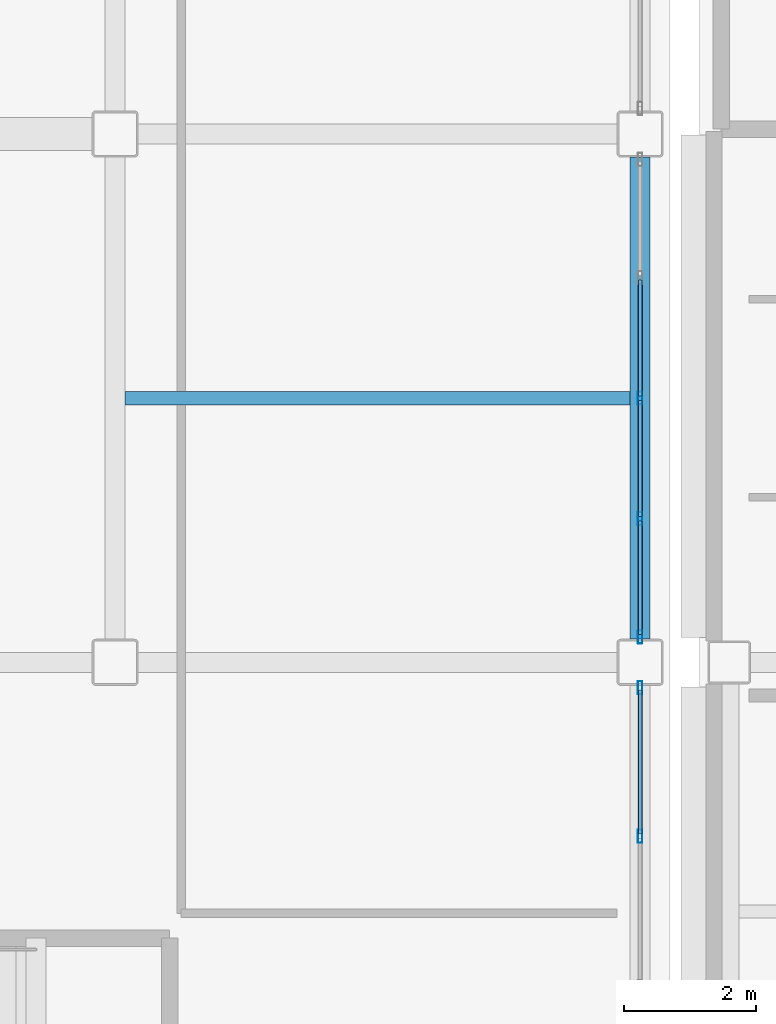
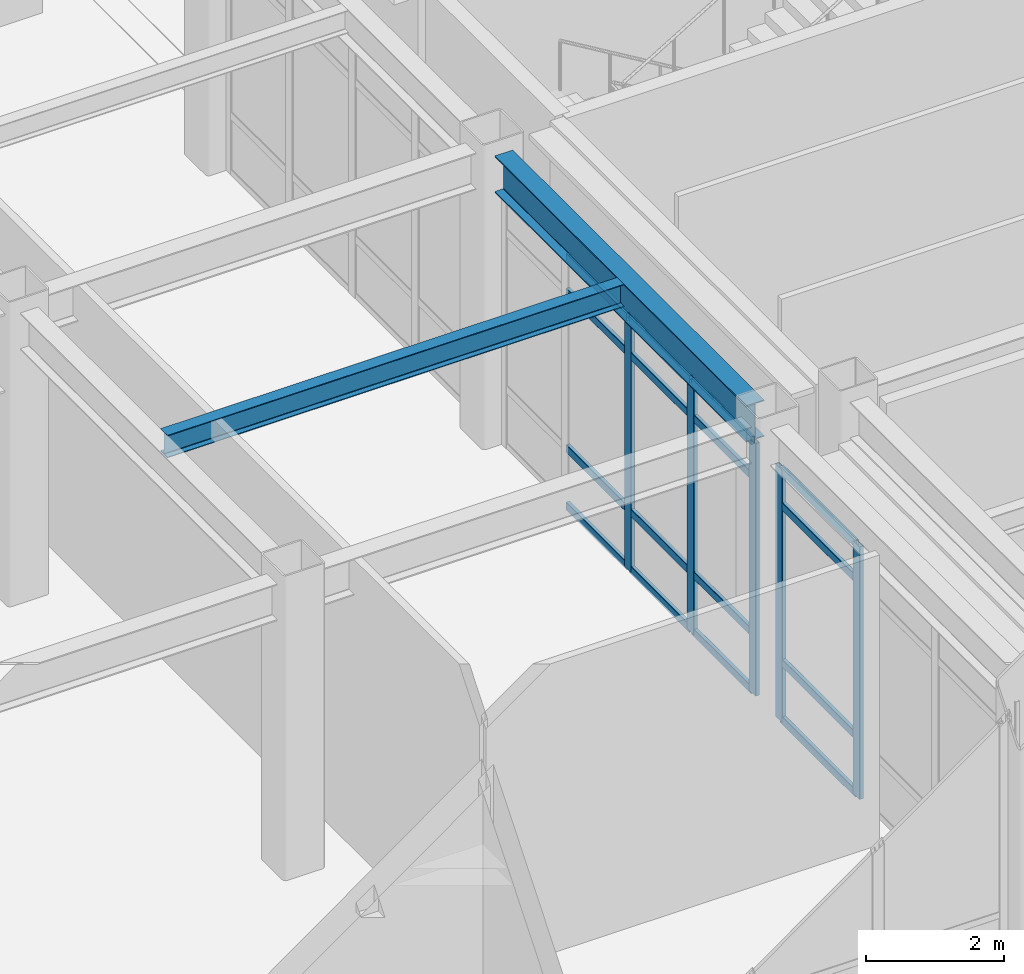
# One storey, part 16 of 165: 21 members, 2 beams, 2 elements without a shape of their own.
"""IFC4 building model written with IfcOpenShell, lengths in metres."""

from ifc_helpers import new_model, si_unit, direction, frame, origin, origin_2d, place, context, subcontext, project, spatial, hollow_rectangle, i_section, extrude, material, layer, layer_set, material_profile, profile_set, type_object, element, aggregate, save


model = new_model("IFC4")

# Units and contexts
model_context = context("Model", 3, precision=1e-05, world=origin(), true_north=direction((0.0, 1.0)))
body_context = subcontext(model_context, "Body", "Model", "MODEL_VIEW")
ifc_project = project(units=[si_unit("LENGTHUNIT", "METRE"), si_unit("AREAUNIT", "SQUARE_METRE"), si_unit("VOLUMEUNIT", "CUBIC_METRE"), si_unit("PLANEANGLEUNIT", "RADIAN"), si_unit("MASSUNIT", "GRAM", prefix="KILO")], contexts=[model_context])

# Site, building, storey
site_placement = place(None, origin())
site = spatial("IfcSite", under=ifc_project, at=site_placement, CompositionType="ELEMENT")
building_placement = place(site_placement, origin())
building = spatial("IfcBuilding", under=site, at=building_placement, Name="Kazehara Bluff Congress Hotel", CompositionType="ELEMENT")
storey_placement = place(building_placement, origin())
storey = spatial("IfcBuildingStorey", under=building, at=storey_placement, Name="L00", CompositionType="ELEMENT", Elevation=0.0)

# Curtain wall, members
ifc_material_1 = material(Name="Anodised aluminium", Category="aluminium")
ifc_layer_1 = layer(ifc_material_1, 0.159912109375)
ifc_layer_set_1 = layer_set([ifc_layer_1], Name="Anodised aluminium")
curtain_wall_type_1 = type_object("IfcCurtainWallType", Name="TP-CW-31", PredefinedType="NOTDEFINED", material=ifc_layer_set_1)
curtain_wall_1_placement = place(storey_placement, origin())
curtain_wall_1 = element("IfcCurtainWall", 1, at=curtain_wall_1_placement, inside=storey, type_object=curtain_wall_type_1, Name="L00 curtain wall CW-31 CW-V2-L00-X5835-80", PredefinedType="NOTDEFINED")
ifc_material_2 = material(Name="Anodised aluminium", Category="aluminium")
ifc_material_profile_1 = material_profile(ifc_material_2, hollow_rectangle(XDim=0.070068359375, YDim=0.199951171875, WallThickness=0.0048828125, InnerFilletRadius=0.0048828125, OuterFilletRadius=0.010009765625, at=origin_2d()))
ifc_profile_set_1 = profile_set([ifc_material_profile_1], Name="Anodised aluminium")
member_type_1 = type_object("IfcMemberType", Name="TP-CWM-03", PredefinedType="MULLION", material=ifc_profile_set_1)
member_1_placement = place(storey_placement, frame((58.35009765625, 5.36669921875, 0.0), z_axis=(0.0, 0.0, 1.0), x_axis=(-1.0, 0.0, 0.0)))
member_1 = element("IfcMember", 2, at=member_1_placement, type_object=member_type_1, Name="CW-31 mullion 3", PredefinedType="MULLION", context=body_context, shape_type="SweptSolid", body=[
    extrude(hollow_rectangle(XDim=0.070068359375, YDim=0.199951171875, WallThickness=0.0048828125, InnerFilletRadius=0.0048828125, OuterFilletRadius=0.010009765625, at=origin_2d()), origin(), (0.0, 0.0, 1.0), 4.47509765625),
])
member_2_placement = place(storey_placement, frame((58.35009765625, 7.614990234375, 0.0), z_axis=(0.0, 0.0, 1.0), x_axis=(-1.0, 0.0, 0.0)))
member_2 = element("IfcMember", 3, at=member_2_placement, type_object=member_type_1, Name="CW-31 mullion 4", PredefinedType="MULLION", context=body_context, shape_type="SweptSolid", body=[
    extrude(hollow_rectangle(XDim=0.070068359375, YDim=0.199951171875, WallThickness=0.0048828125, InnerFilletRadius=0.0048828125, OuterFilletRadius=0.010009765625, at=origin_2d()), origin(), (0.0, 0.0, 1.0), 4.47509765625),
])

ifc_material_3 = material(Name="Anodised aluminium", Category="aluminium")
ifc_layer_2 = layer(ifc_material_3, 0.159912109375)
ifc_layer_set_2 = layer_set([ifc_layer_2], Name="Anodised aluminium")
curtain_wall_type_2 = type_object("IfcCurtainWallType", Name="TP-CW-32", PredefinedType="NOTDEFINED", material=ifc_layer_set_2)
curtain_wall_2_placement = place(storey_placement, origin())
curtain_wall_2 = element("IfcCurtainWall", 4, at=curtain_wall_2_placement, inside=storey, type_object=curtain_wall_type_2, Name="L00 curtain wall CW-32 CW-V2-L00-X5835-835", PredefinedType="NOTDEFINED")
member_3_placement = place(storey_placement, frame((58.35009765625, 8.385009765625, 0.0), z_axis=(0.0, 0.0, 1.0), x_axis=(-1.0, 0.0, 0.0)))
member_3 = element("IfcMember", 5, at=member_3_placement, type_object=member_type_1, Name="CW-32 mullion 1", PredefinedType="MULLION", context=body_context, shape_type="SweptSolid", body=[
    extrude(hollow_rectangle(XDim=0.070068359375, YDim=0.199951171875, WallThickness=0.0048828125, InnerFilletRadius=0.0048828125, OuterFilletRadius=0.010009765625, at=origin_2d()), origin(), (0.0, 0.0, 1.0), 4.47509765625),
])
member_4_placement = place(storey_placement, frame((58.35009765625, 10.175048828125, 0.0), z_axis=(0.0, 0.0, 1.0), x_axis=(-1.0, 0.0, 0.0)))
member_4 = element("IfcMember", 6, at=member_4_placement, type_object=member_type_1, Name="CW-32 mullion 2", PredefinedType="MULLION", context=body_context, shape_type="SweptSolid", body=[
    extrude(hollow_rectangle(XDim=0.070068359375, YDim=0.199951171875, WallThickness=0.0048828125, InnerFilletRadius=0.0048828125, OuterFilletRadius=0.010009765625, at=origin_2d()), origin(), (0.0, 0.0, 1.0), 4.47509765625),
])
member_5_placement = place(storey_placement, frame((58.35009765625, 12.0, 0.0), z_axis=(0.0, 0.0, 1.0), x_axis=(-1.0, 0.0, 0.0)))
member_5 = element("IfcMember", 7, at=member_5_placement, type_object=member_type_1, Name="CW-32 mullion 3", PredefinedType="MULLION", context=body_context, shape_type="SweptSolid", body=[
    extrude(hollow_rectangle(XDim=0.070068359375, YDim=0.199951171875, WallThickness=0.0048828125, InnerFilletRadius=0.0048828125, OuterFilletRadius=0.010009765625, at=origin_2d()), origin(), (0.0, 0.0, 1.0), 4.47509765625),
])

# Member
ifc_material_4 = material(Name="Anodised aluminium", Category="aluminium")
ifc_material_profile_2 = material_profile(ifc_material_4, hollow_rectangle(XDim=0.06494140625, YDim=0.139892578125, WallThickness=0.00390625, InnerFilletRadius=0.00390625, OuterFilletRadius=0.008056640625, at=origin_2d()))
ifc_profile_set_2 = profile_set([ifc_material_profile_2], Name="Anodised aluminium")
member_type_2 = type_object("IfcMemberType", Name="TP-CWT-02", PredefinedType="USERDEFINED", material=ifc_profile_set_2)
member_6_placement = place(storey_placement, frame((58.35009765625, 5.401611328125, 0.032470703125), z_axis=(0.0, 1.0, 0.0), x_axis=(-1.0, 0.0, 0.0)))
member_6 = element("IfcMember", 8, at=member_6_placement, type_object=member_type_2, Name="CW-31 transom 3.1", ObjectType="TRANSOM", PredefinedType="USERDEFINED", context=body_context, shape_type="SweptSolid", body=[
    extrude(hollow_rectangle(XDim=0.06494140625, YDim=0.139892578125, WallThickness=0.00390625, InnerFilletRadius=0.00390625, OuterFilletRadius=0.008056640625, at=origin_2d()), origin(), (0.0, 0.0, 1.0), 2.178466796875),
])

member_7_placement = place(storey_placement, frame((58.35009765625, 5.401611328125, 1.050048828125), z_axis=(0.0, 1.0, 0.0), x_axis=(-1.0, 0.0, 0.0)))
member_7 = element("IfcMember", 9, at=member_7_placement, type_object=member_type_2, Name="CW-31 transom 3.2", ObjectType="TRANSOM", PredefinedType="USERDEFINED", context=body_context, shape_type="SweptSolid", body=[
    extrude(hollow_rectangle(XDim=0.06494140625, YDim=0.139892578125, WallThickness=0.00390625, InnerFilletRadius=0.00390625, OuterFilletRadius=0.008056640625, at=origin_2d()), origin(), (0.0, 0.0, 1.0), 2.178466796875),
])

member_8_placement = place(storey_placement, frame((58.35009765625, 5.401611328125, 3.824951171875), z_axis=(0.0, 1.0, 0.0), x_axis=(-1.0, 0.0, 0.0)))
member_8 = element("IfcMember", 10, at=member_8_placement, type_object=member_type_2, Name="CW-31 transom 3.3", ObjectType="TRANSOM", PredefinedType="USERDEFINED", context=body_context, shape_type="SweptSolid", body=[
    extrude(hollow_rectangle(XDim=0.06494140625, YDim=0.139892578125, WallThickness=0.00390625, InnerFilletRadius=0.00390625, OuterFilletRadius=0.008056640625, at=origin_2d()), origin(), (0.0, 0.0, 1.0), 2.178466796875),
])

member_9_placement = place(storey_placement, frame((58.35009765625, 5.401611328125, 4.4423828125), z_axis=(0.0, 1.0, 0.0), x_axis=(-1.0, 0.0, 0.0)))
member_9 = element("IfcMember", 11, at=member_9_placement, type_object=member_type_2, Name="CW-31 transom 3.4", ObjectType="TRANSOM", PredefinedType="USERDEFINED", context=body_context, shape_type="SweptSolid", body=[
    extrude(hollow_rectangle(XDim=0.06494140625, YDim=0.139892578125, WallThickness=0.00390625, InnerFilletRadius=0.00390625, OuterFilletRadius=0.008056640625, at=origin_2d()), origin(), (0.0, 0.0, 1.0), 2.178466796875),
])

aggregate(curtain_wall_1, [member_1, member_2, member_6, member_7, member_8, member_9])

member_10_placement = place(storey_placement, frame((58.35009765625, 8.419921875, 0.032470703125), z_axis=(0.0, 1.0, 0.0), x_axis=(-1.0, 0.0, 0.0)))
member_10 = element("IfcMember", 12, at=member_10_placement, type_object=member_type_2, Name="CW-32 transom 1.1", ObjectType="TRANSOM", PredefinedType="USERDEFINED", context=body_context, shape_type="SweptSolid", body=[
    extrude(hollow_rectangle(XDim=0.06494140625, YDim=0.139892578125, WallThickness=0.00390625, InnerFilletRadius=0.00390625, OuterFilletRadius=0.008056640625, at=origin_2d()), origin(), (0.0, 0.0, 1.0), 1.719970703125),
])

member_11_placement = place(storey_placement, frame((58.35009765625, 8.419921875, 1.050048828125), z_axis=(0.0, 1.0, 0.0), x_axis=(-1.0, 0.0, 0.0)))
member_11 = element("IfcMember", 13, at=member_11_placement, type_object=member_type_2, Name="CW-32 transom 1.2", ObjectType="TRANSOM", PredefinedType="USERDEFINED", context=body_context, shape_type="SweptSolid", body=[
    extrude(hollow_rectangle(XDim=0.06494140625, YDim=0.139892578125, WallThickness=0.00390625, InnerFilletRadius=0.00390625, OuterFilletRadius=0.008056640625, at=origin_2d()), origin(), (0.0, 0.0, 1.0), 1.719970703125),
])

member_12_placement = place(storey_placement, frame((58.35009765625, 8.419921875, 3.824951171875), z_axis=(0.0, 1.0, 0.0), x_axis=(-1.0, 0.0, 0.0)))
member_12 = element("IfcMember", 14, at=member_12_placement, type_object=member_type_2, Name="CW-32 transom 1.3", ObjectType="TRANSOM", PredefinedType="USERDEFINED", context=body_context, shape_type="SweptSolid", body=[
    extrude(hollow_rectangle(XDim=0.06494140625, YDim=0.139892578125, WallThickness=0.00390625, InnerFilletRadius=0.00390625, OuterFilletRadius=0.008056640625, at=origin_2d()), origin(), (0.0, 0.0, 1.0), 1.719970703125),
])

member_13_placement = place(storey_placement, frame((58.35009765625, 8.419921875, 4.4423828125), z_axis=(0.0, 1.0, 0.0), x_axis=(-1.0, 0.0, 0.0)))
member_13 = element("IfcMember", 15, at=member_13_placement, type_object=member_type_2, Name="CW-32 transom 1.4", ObjectType="TRANSOM", PredefinedType="USERDEFINED", context=body_context, shape_type="SweptSolid", body=[
    extrude(hollow_rectangle(XDim=0.06494140625, YDim=0.139892578125, WallThickness=0.00390625, InnerFilletRadius=0.00390625, OuterFilletRadius=0.008056640625, at=origin_2d()), origin(), (0.0, 0.0, 1.0), 1.719970703125),
])

member_14_placement = place(storey_placement, frame((58.35009765625, 10.2099609375, 0.032470703125), z_axis=(0.0, 1.0, 0.0), x_axis=(-1.0, 0.0, 0.0)))
member_14 = element("IfcMember", 16, at=member_14_placement, type_object=member_type_2, Name="CW-32 transom 2.1", ObjectType="TRANSOM", PredefinedType="USERDEFINED", context=body_context, shape_type="SweptSolid", body=[
    extrude(hollow_rectangle(XDim=0.06494140625, YDim=0.139892578125, WallThickness=0.00390625, InnerFilletRadius=0.00390625, OuterFilletRadius=0.008056640625, at=origin_2d()), origin(), (0.0, 0.0, 1.0), 1.755126953125),
])

member_15_placement = place(storey_placement, frame((58.35009765625, 10.2099609375, 1.050048828125), z_axis=(0.0, 1.0, 0.0), x_axis=(-1.0, 0.0, 0.0)))
member_15 = element("IfcMember", 17, at=member_15_placement, type_object=member_type_2, Name="CW-32 transom 2.2", ObjectType="TRANSOM", PredefinedType="USERDEFINED", context=body_context, shape_type="SweptSolid", body=[
    extrude(hollow_rectangle(XDim=0.06494140625, YDim=0.139892578125, WallThickness=0.00390625, InnerFilletRadius=0.00390625, OuterFilletRadius=0.008056640625, at=origin_2d()), origin(), (0.0, 0.0, 1.0), 1.755126953125),
])

member_16_placement = place(storey_placement, frame((58.35009765625, 10.2099609375, 3.824951171875), z_axis=(0.0, 1.0, 0.0), x_axis=(-1.0, 0.0, 0.0)))
member_16 = element("IfcMember", 18, at=member_16_placement, type_object=member_type_2, Name="CW-32 transom 2.3", ObjectType="TRANSOM", PredefinedType="USERDEFINED", context=body_context, shape_type="SweptSolid", body=[
    extrude(hollow_rectangle(XDim=0.06494140625, YDim=0.139892578125, WallThickness=0.00390625, InnerFilletRadius=0.00390625, OuterFilletRadius=0.008056640625, at=origin_2d()), origin(), (0.0, 0.0, 1.0), 1.755126953125),
])

member_17_placement = place(storey_placement, frame((58.35009765625, 10.2099609375, 4.4423828125), z_axis=(0.0, 1.0, 0.0), x_axis=(-1.0, 0.0, 0.0)))
member_17 = element("IfcMember", 19, at=member_17_placement, type_object=member_type_2, Name="CW-32 transom 2.4", ObjectType="TRANSOM", PredefinedType="USERDEFINED", context=body_context, shape_type="SweptSolid", body=[
    extrude(hollow_rectangle(XDim=0.06494140625, YDim=0.139892578125, WallThickness=0.00390625, InnerFilletRadius=0.00390625, OuterFilletRadius=0.008056640625, at=origin_2d()), origin(), (0.0, 0.0, 1.0), 1.755126953125),
])

member_18_placement = place(storey_placement, frame((58.35009765625, 12.034912109375, 0.032470703125), z_axis=(0.0, 1.0, 0.0), x_axis=(-1.0, 0.0, 0.0)))
member_18 = element("IfcMember", 20, at=member_18_placement, type_object=member_type_2, Name="CW-32 transom 3.1", ObjectType="TRANSOM", PredefinedType="USERDEFINED", context=body_context, shape_type="SweptSolid", body=[
    extrude(hollow_rectangle(XDim=0.06494140625, YDim=0.139892578125, WallThickness=0.00390625, InnerFilletRadius=0.00390625, OuterFilletRadius=0.008056640625, at=origin_2d()), origin(), (0.0, 0.0, 1.0), 1.755126953125),
])

member_19_placement = place(storey_placement, frame((58.35009765625, 12.034912109375, 1.050048828125), z_axis=(0.0, 1.0, 0.0), x_axis=(-1.0, 0.0, 0.0)))
member_19 = element("IfcMember", 21, at=member_19_placement, type_object=member_type_2, Name="CW-32 transom 3.2", ObjectType="TRANSOM", PredefinedType="USERDEFINED", context=body_context, shape_type="SweptSolid", body=[
    extrude(hollow_rectangle(XDim=0.06494140625, YDim=0.139892578125, WallThickness=0.00390625, InnerFilletRadius=0.00390625, OuterFilletRadius=0.008056640625, at=origin_2d()), origin(), (0.0, 0.0, 1.0), 1.755126953125),
])

member_20_placement = place(storey_placement, frame((58.35009765625, 12.034912109375, 3.824951171875), z_axis=(0.0, 1.0, 0.0), x_axis=(-1.0, 0.0, 0.0)))
member_20 = element("IfcMember", 22, at=member_20_placement, type_object=member_type_2, Name="CW-32 transom 3.3", ObjectType="TRANSOM", PredefinedType="USERDEFINED", context=body_context, shape_type="SweptSolid", body=[
    extrude(hollow_rectangle(XDim=0.06494140625, YDim=0.139892578125, WallThickness=0.00390625, InnerFilletRadius=0.00390625, OuterFilletRadius=0.008056640625, at=origin_2d()), origin(), (0.0, 0.0, 1.0), 1.755126953125),
])

member_21_placement = place(storey_placement, frame((58.35009765625, 12.034912109375, 4.4423828125), z_axis=(0.0, 1.0, 0.0), x_axis=(-1.0, 0.0, 0.0)))
member_21 = element("IfcMember", 23, at=member_21_placement, type_object=member_type_2, Name="CW-32 transom 3.4", ObjectType="TRANSOM", PredefinedType="USERDEFINED", context=body_context, shape_type="SweptSolid", body=[
    extrude(hollow_rectangle(XDim=0.06494140625, YDim=0.139892578125, WallThickness=0.00390625, InnerFilletRadius=0.00390625, OuterFilletRadius=0.008056640625, at=origin_2d()), origin(), (0.0, 0.0, 1.0), 1.755126953125),
])

aggregate(curtain_wall_2, [member_3, member_4, member_5, member_10, member_11, member_12, member_13, member_14, member_15, member_16, member_17, member_18, member_19, member_20, member_21])

# Beams
ifc_material_5 = material(Name="Steel SN490B", Category="steel")
ifc_material_profile_3 = material_profile(ifc_material_5, i_section(OverallWidth=0.300048828125, OverallDepth=0.64990234375, WebThickness=0.011962890625, FlangeThickness=0.02001953125, FilletRadius=0.012939453125, at=origin_2d()))
ifc_profile_set_3 = profile_set([ifc_material_profile_3], Name="Steel SN490B")
beam_type_1 = type_object("IfcBeamType", Name="TP-G-03", PredefinedType="BEAM", material=ifc_profile_set_3)
beam_1_placement = place(storey_placement, frame((58.35009765625, 8.35009765625, 4.824951171875), z_axis=(0.0, 1.0, 0.0), x_axis=(-1.0, 0.0, 0.0)))
element("IfcBeam", 24, at=beam_1_placement, inside=storey, type_object=beam_type_1, Name="L00 girder G-03 66", PredefinedType="BEAM", context=body_context, shape_type="SweptSolid", body=[
    extrude(i_section(OverallWidth=0.300048828125, OverallDepth=0.64990234375, WebThickness=0.011962890625, FlangeThickness=0.02001953125, FilletRadius=0.012939453125, at=origin_2d()), origin(), (0.0, 0.0, 1.0), 7.2998046875),
])
ifc_material_6 = material(Name="Steel SN400B", Category="steel")
ifc_material_profile_4 = material_profile(ifc_material_6, i_section(OverallWidth=0.199951171875, OverallDepth=0.39990234375, WebThickness=0.008056640625, FlangeThickness=0.012939453125, FilletRadius=0.012939453125, at=origin_2d()))
ifc_profile_set_4 = profile_set([ifc_material_profile_4], Name="Steel SN400B")
beam_type_2 = type_object("IfcBeamType", Name="TP-J-03", PredefinedType="JOIST", material=ifc_profile_set_4)
beam_2_placement = place(storey_placement, frame((50.550048828125, 12.0, 4.949951171875), z_axis=(1.0, 0.0, 0.0), x_axis=(0.0, 1.0, 0.0)))
element("IfcBeam", 25, at=beam_2_placement, inside=storey, type_object=beam_type_2, Name="L00 secondary joist J-03 9", PredefinedType="JOIST", context=body_context, shape_type="SweptSolid", body=[
    extrude(i_section(OverallWidth=0.199951171875, OverallDepth=0.39990234375, WebThickness=0.008056640625, FlangeThickness=0.012939453125, FilletRadius=0.012939453125, at=origin_2d()), origin(), (0.0, 0.0, 1.0), 7.64990234375),
])

save(model, "model.ifc")
